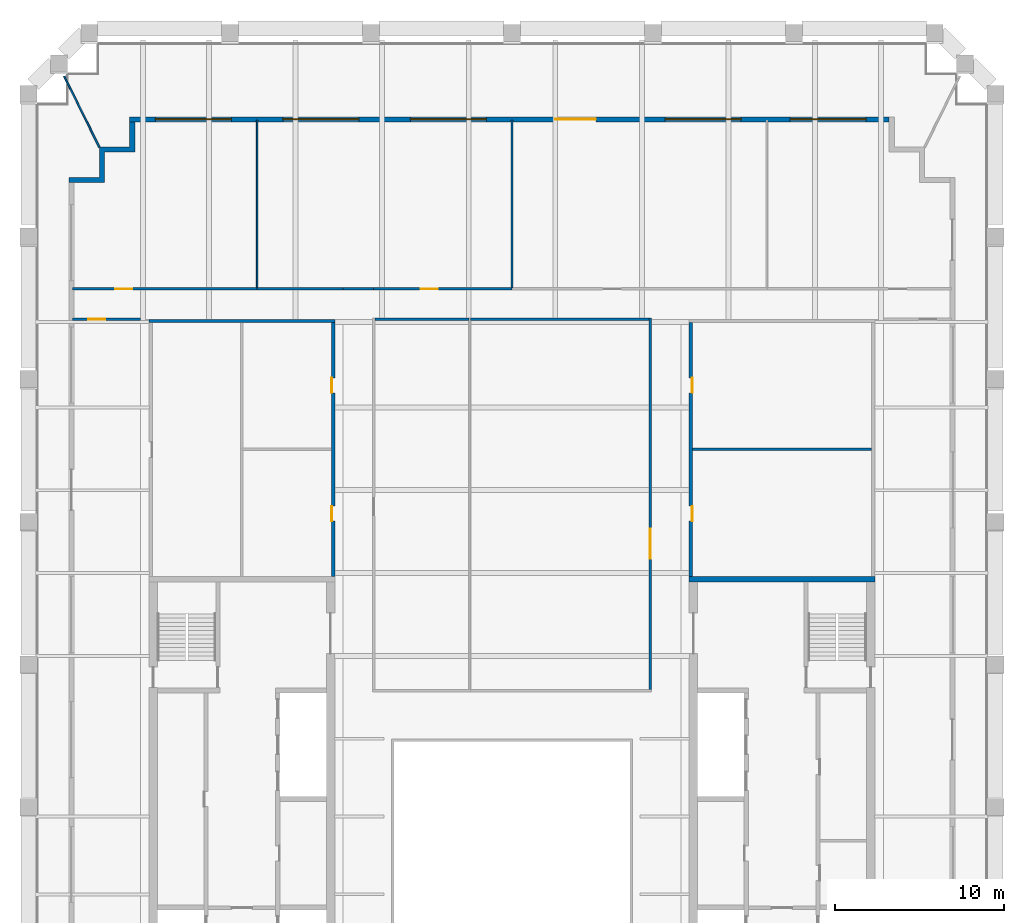
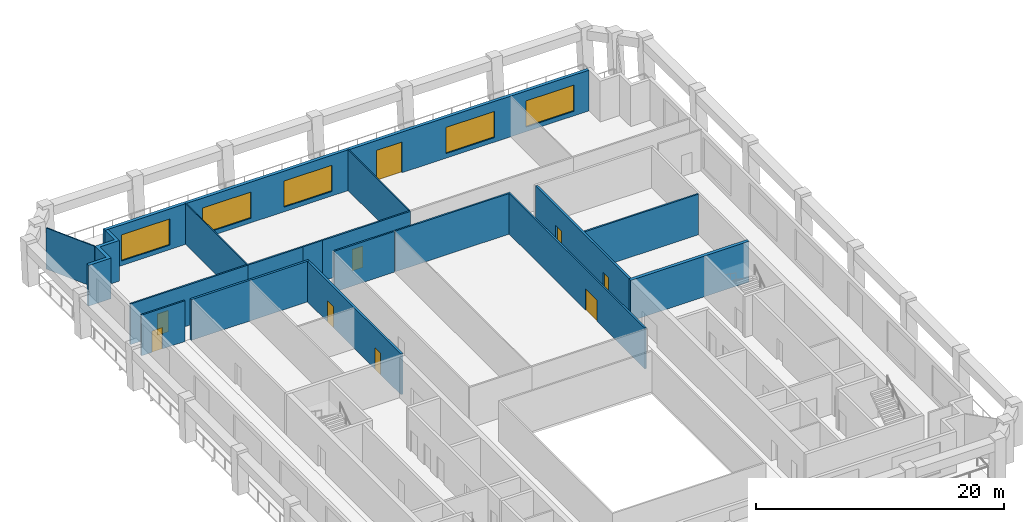
# One storey, part 5 of 7: 18 walls, 9 doors, 5 windows, 14 openings.
"""IFC4 building model written with IfcOpenShell, lengths in metres."""

from ifc_helpers import new_model, si_unit, direction, frame, frame_2d, origin, place, context, subcontext, project, spatial, polyline, rectangle, outline, extrude, material, layer, layer_set, type_object, element, fill, save


model = new_model("IFC4")

# Units and contexts
model_context = context("Model", 3, precision=1e-05, world=origin(), true_north=direction((0.0, 1.0)))
body_context = subcontext(model_context, "Body", "Model", "MODEL_VIEW")
ifc_project = project(units=[si_unit("LENGTHUNIT", "METRE"), si_unit("AREAUNIT", "SQUARE_METRE"), si_unit("VOLUMEUNIT", "CUBIC_METRE"), si_unit("PLANEANGLEUNIT", "RADIAN"), si_unit("MASSUNIT", "GRAM", prefix="KILO")], contexts=[model_context])

# Site, building, storey
site_placement = place(None, origin())
site = spatial("IfcSite", under=ifc_project, at=site_placement, CompositionType="ELEMENT")
building_placement = place(site_placement, origin())
building = spatial("IfcBuilding", under=site, at=building_placement, Name="Ogive Exchange Tower", CompositionType="ELEMENT")
storey_placement = place(building_placement, frame((0.0, 0.0, 330.0)))
storey = spatial("IfcBuildingStorey", under=building, at=storey_placement, Name="L72", CompositionType="ELEMENT", Elevation=330.0)

# Wall
ifc_material_1 = material(Name="Gypsum board partition")
ifc_layer_1 = layer(ifc_material_1, 0.14990234375)
ifc_layer_set_1 = layer_set([ifc_layer_1], Name="Core room partition 150 gypsum")
wall_type_1 = type_object("IfcWallType", Name="Core room partition 150 gypsum", PredefinedType="PARTITIONING", material=ifc_layer_set_1)
wall_1_placement = place(storey_placement, frame((10.699951171875, 33.300048828125, 0.0), z_axis=(0.0, 0.0, 1.0), x_axis=(1.0, 0.0, 0.0)))
element("IfcWall", 1, at=wall_1_placement, inside=storey, type_object=wall_type_1, Name="E annex N cross wall", PredefinedType="PARTITIONING", context=body_context, shape_type="SweptSolid", body=[
    extrude(rectangle(XDim=10.60009765625, YDim=0.14990234375, at=frame_2d((5.300048828125, 0.0))), origin(), (0.0, 0.0, 1.0), 4.0),
])

# Wall, opening, door
ifc_material_2 = material(Name="Fire partition EI 60 150")
ifc_layer_2 = layer(ifc_material_2, 0.14990234375)
ifc_layer_set_2 = layer_set([ifc_layer_2], Name="Fire partition EI 60 150")
wall_type_2 = type_object("IfcWallType", Name="Fire partition EI 60 150", PredefinedType="PARTITIONING", material=ifc_layer_set_2)
wall_2_placement = place(storey_placement, frame((-26.050048828125, 42.800048828125, 0.0), z_axis=(0.0, 0.0, 1.0), x_axis=(1.0, 0.0, 0.0)))
wall_2 = element("IfcWall", 2, at=wall_2_placement, inside=storey, type_object=wall_type_2, Name="L72-PWL-001", PredefinedType="PARTITIONING", context=body_context, shape_type="SweptSolid", body=[
    extrude(rectangle(XDim=11.0, YDim=0.14990234375, at=frame_2d((5.5, 0.0))), origin(), (0.0, 0.0, 1.0), 4.0),
])
opening_1_placement = place(wall_2_placement, frame((2.550048828125, 0.0, 0.0)))
opening_1 = element("IfcOpeningElement", 3, at=opening_1_placement, cuts=wall_2, Name="Opening L72-I04", PredefinedType="OPENING", context=body_context, shape_type="SweptSolid", body=[
    extrude(rectangle(XDim=1.0, YDim=2.10009765625, at=frame_2d((0.5, 1.050048828125))), frame((0.0, 0.0849609375, 0.0), z_axis=(0.0, -1.0, 0.0), x_axis=(1.0, 0.0, 0.0)), (0.0, 0.0, 1.0), 0.169921875),
])
ifc_material_3 = material(Name="Fire door FD 30S 1000 x 2100")
door_type_1 = type_object("IfcDoorType", Name="Fire door FD 30S 1000 x 2100", OperationType="NOTDEFINED", PredefinedType="DOOR", material=ifc_material_3)
door_1_placement = place(opening_1_placement, origin())
door_1 = element("IfcDoor", 4, at=door_1_placement, inside=storey, type_object=door_type_1, Name="L72-IDR-004", ObjectType="DT3", OperationType="SINGLE_SWING_RIGHT", OverallHeight=2.10009765625, OverallWidth=1.0, PredefinedType="DOOR", context=body_context, shape_type="SweptSolid", body=[
    extrude(rectangle(XDim=1.0, YDim=2.10009765625, at=frame_2d((0.5, 1.050048828125))), frame((0.0, 0.02490234375, 0.0), z_axis=(0.0, -1.0, 0.0), x_axis=(1.0, 0.0, 0.0)), (0.0, 0.0, 1.0), 0.050048828125),
])
fill(opening_1, door_1)

wall_3_placement = place(storey_placement, frame((-22.0, 41.0, 0.0), z_axis=(0.0, 0.0, 1.0), x_axis=(-1.0, 0.0, 0.0)))
wall_3 = element("IfcWall", 5, at=wall_3_placement, inside=storey, type_object=wall_type_2, Name="L72-PWL-003", PredefinedType="PARTITIONING", context=body_context, shape_type="SweptSolid", body=[
    extrude(rectangle(XDim=4.050048828125, YDim=0.14990234375, at=frame_2d((2.02490234375, 0.0))), origin(), (0.0, 0.0, 1.0), 4.0),
])
opening_2_placement = place(wall_3_placement, frame((2.10009765625, 0.0, 0.0)))
opening_2 = element("IfcOpeningElement", 6, at=opening_2_placement, cuts=wall_3, Name="Opening L72-I07", PredefinedType="OPENING", context=body_context, shape_type="SweptSolid", body=[
    extrude(rectangle(XDim=1.0, YDim=2.10009765625, at=frame_2d((0.5, 1.050048828125))), frame((0.0, 0.0849609375, 0.0), z_axis=(0.0, -1.0, 0.0), x_axis=(1.0, 0.0, 0.0)), (0.0, 0.0, 1.0), 0.169921875),
])
door_2_placement = place(opening_2_placement, origin())
door_2 = element("IfcDoor", 7, at=door_2_placement, inside=storey, type_object=door_type_1, Name="L72-IDR-007", ObjectType="DT3", OperationType="SINGLE_SWING_LEFT", OverallHeight=2.10009765625, OverallWidth=1.0, PredefinedType="DOOR", context=body_context, shape_type="SweptSolid", body=[
    extrude(rectangle(XDim=1.0, YDim=2.10009765625, at=frame_2d((0.5, 1.050048828125))), frame((0.0, 0.02490234375, 0.0), z_axis=(0.0, -1.0, 0.0), x_axis=(1.0, 0.0, 0.0)), (0.0, 0.0, 1.0), 0.050048828125),
])
fill(opening_2, door_2)

# Walls
wall_4_placement = place(storey_placement, frame((-15.10009765625, 42.800048828125, 0.0), z_axis=(0.0, 0.0, 1.0), x_axis=(1.0, 0.0, 0.0)))
element("IfcWall", 8, at=wall_4_placement, inside=storey, type_object=wall_type_2, Name="L72-PWL-005", PredefinedType="PARTITIONING", context=body_context, shape_type="SweptSolid", body=[
    extrude(rectangle(XDim=5.10009765625, YDim=0.14990234375, at=frame_2d((2.550048828125, 0.0))), origin(), (0.0, 0.0, 1.0), 4.0),
])
wall_5_placement = place(storey_placement, frame((-10.0, 42.800048828125, 0.0), z_axis=(0.0, 0.0, 1.0), x_axis=(1.0, 0.0, 0.0)))
element("IfcWall", 9, at=wall_5_placement, inside=storey, type_object=wall_type_2, Name="L72-PWL-006", PredefinedType="PARTITIONING", context=body_context, shape_type="SweptSolid", body=[
    extrude(rectangle(XDim=1.800048828125, YDim=0.14990234375, at=frame_2d((0.89990234375, 0.0))), origin(), (0.0, 0.0, 1.0), 4.0),
])

# Wall, opening, door
wall_6_placement = place(storey_placement, frame((-8.199951171875, 42.800048828125, 0.0), z_axis=(0.0, 0.0, 1.0), x_axis=(1.0, 0.0, 0.0)))
wall_6 = element("IfcWall", 10, at=wall_6_placement, inside=storey, type_object=wall_type_2, Name="L72-PWL-009", PredefinedType="PARTITIONING", context=body_context, shape_type="SweptSolid", body=[
    extrude(rectangle(XDim=8.199951171875, YDim=0.14990234375, at=frame_2d((4.10009765625, 0.0))), origin(), (0.0, 0.0, 1.0), 4.0),
])
opening_3_placement = place(wall_6_placement, frame((2.800048828125, 0.0, 0.0)))
opening_3 = element("IfcOpeningElement", 11, at=opening_3_placement, cuts=wall_6, Name="Opening L72-I03", PredefinedType="OPENING", context=body_context, shape_type="SweptSolid", body=[
    extrude(rectangle(XDim=1.0, YDim=2.10009765625, at=frame_2d((0.5, 1.050048828125))), frame((0.0, 0.0849609375, 0.0), z_axis=(0.0, -1.0, 0.0), x_axis=(1.0, 0.0, 0.0)), (0.0, 0.0, 1.0), 0.169921875),
])
door_3_placement = place(opening_3_placement, origin())
door_3 = element("IfcDoor", 12, at=door_3_placement, inside=storey, type_object=door_type_1, Name="L72-IDR-003", ObjectType="DT3", OperationType="SINGLE_SWING_LEFT", OverallHeight=2.10009765625, OverallWidth=1.0, PredefinedType="DOOR", context=body_context, shape_type="SweptSolid", body=[
    extrude(rectangle(XDim=1.0, YDim=2.10009765625, at=frame_2d((0.5, 1.050048828125))), frame((0.0, 0.02490234375, 0.0), z_axis=(0.0, -1.0, 0.0), x_axis=(1.0, 0.0, 0.0)), (0.0, 0.0, 1.0), 0.050048828125),
])
fill(opening_3, door_3)

# Wall
wall_7_placement = place(storey_placement, frame((-2.550048828125, 41.0, 0.0), z_axis=(0.0, 0.0, 1.0), x_axis=(-1.0, 0.0, 0.0)))
element("IfcWall", 13, at=wall_7_placement, inside=storey, type_object=wall_type_2, Name="L72-PWL-012", PredefinedType="PARTITIONING", context=body_context, shape_type="SweptSolid", body=[
    extrude(rectangle(XDim=5.574951171875, YDim=0.14990234375, at=frame_2d((2.78759765625, 0.0))), origin(), (0.0, 0.0, 1.0), 4.0),
])

# Wall, opening, door
wall_8_placement = place(storey_placement, frame((8.199951171875, 19.074951171875, 0.0), z_axis=(0.0, 0.0, 1.0), x_axis=(0.0, 1.0, 0.0)))
wall_8 = element("IfcWall", 14, at=wall_8_placement, inside=storey, type_object=wall_type_2, Name="L72-PWL-015", PredefinedType="PARTITIONING", context=body_context, shape_type="SweptSolid", body=[
    extrude(rectangle(XDim=22.0, YDim=0.14990234375, at=frame_2d((11.0, 0.0))), origin(), (0.0, 0.0, 1.0), 4.0),
])
opening_4_placement = place(wall_8_placement, frame((7.72509765625, 0.0, 0.0)))
opening_4 = element("IfcOpeningElement", 15, at=opening_4_placement, cuts=wall_8, Name="Opening L72-I05", PredefinedType="OPENING", context=body_context, shape_type="SweptSolid", body=[
    extrude(rectangle(XDim=1.800048828125, YDim=2.10009765625, at=frame_2d((0.89990234375, 1.050048828125))), frame((0.0, 0.0849609375, 0.0), z_axis=(0.0, -1.0, 0.0), x_axis=(1.0, 0.0, 0.0)), (0.0, 0.0, 1.0), 0.169921875),
])
ifc_material_4 = material(Name="Fire door FD 30S 1800 x 2100")
door_type_2 = type_object("IfcDoorType", Name="Fire door FD 30S 1800 x 2100", OperationType="DOUBLE_DOOR_SINGLE_SWING", PredefinedType="DOOR", material=ifc_material_4)
door_4_placement = place(opening_4_placement, origin())
door_4 = element("IfcDoor", 16, at=door_4_placement, inside=storey, type_object=door_type_2, Name="L72-IDR-005", ObjectType="DT4", OperationType="SINGLE_SWING_RIGHT", OverallHeight=2.10009765625, OverallWidth=1.800048828125, PredefinedType="DOOR", context=body_context, shape_type="SweptSolid", body=[
    extrude(rectangle(XDim=1.800048828125, YDim=2.10009765625, at=frame_2d((0.89990234375, 1.050048828125))), frame((0.0, 0.02490234375, 0.0), z_axis=(0.0, -1.0, 0.0), x_axis=(1.0, 0.0, 0.0)), (0.0, 0.0, 1.0), 0.050048828125),
])
fill(opening_4, door_4)

# Wall
wall_9_placement = place(storey_placement, frame((8.125, 41.0, 0.0), z_axis=(0.0, 0.0, 1.0), x_axis=(-1.0, 0.0, 0.0)))
element("IfcWall", 17, at=wall_9_placement, inside=storey, type_object=wall_type_2, Name="L72-PWL-016", PredefinedType="PARTITIONING", context=body_context, shape_type="SweptSolid", body=[
    extrude(rectangle(XDim=10.574951171875, YDim=0.14990234375, at=frame_2d((5.28759765625, 0.0))), origin(), (0.0, 0.0, 1.0), 4.0),
])

# Wall, openings, door, windows
ifc_material_5 = material(Name="Precast concrete C40/50", Category="concrete")
ifc_layer_3 = layer(ifc_material_5, 0.300048828125)
ifc_layer_set_3 = layer_set([ifc_layer_3], Name="Limestone-faced wall 300")
wall_type_3 = type_object("IfcWallType", Name="Limestone-faced wall 300", PredefinedType="STANDARD", material=ifc_layer_set_3)
wall_10_placement = place(storey_placement, frame((22.35009765625, 52.85009765625, 0.0), z_axis=(0.0, 0.0, 1.0), x_axis=(-1.0, 0.0, 0.0)))
wall_10 = element("IfcWall", 18, at=wall_10_placement, inside=storey, type_object=wall_type_3, Name="External wall N3", PredefinedType="STANDARD", context=body_context, shape_type="SweptSolid", body=[
    extrude(rectangle(XDim=45.0, YDim=0.300048828125, at=frame_2d((22.5, 0.0))), origin(), (0.0, 0.0, 1.0), 4.0),
])
opening_5_placement = place(wall_10_placement, frame((1.375, 0.0, 0.449951171875)))
opening_5 = element("IfcOpeningElement", 19, at=opening_5_placement, cuts=wall_10, Name="Opening W1M", PredefinedType="OPENING", context=body_context, shape_type="SweptSolid", body=[
    extrude(rectangle(XDim=4.5, YDim=2.574951171875, at=frame_2d((2.25, 1.28759765625))), frame((0.0, 0.159912109375, 0.0), z_axis=(0.0, -1.0, 0.0), x_axis=(1.0, 0.0, 0.0)), (0.0, 0.0, 1.0), 0.320068359375),
])
opening_6_placement = place(wall_10_placement, frame((8.77490234375, 0.0, 0.449951171875)))
opening_6 = element("IfcOpeningElement", 20, at=opening_6_placement, cuts=wall_10, Name="Opening W1M", PredefinedType="OPENING", context=body_context, shape_type="SweptSolid", body=[
    extrude(rectangle(XDim=4.5, YDim=2.574951171875, at=frame_2d((2.25, 1.28759765625))), frame((0.0, 0.159912109375, 0.0), z_axis=(0.0, -1.0, 0.0), x_axis=(1.0, 0.0, 0.0)), (0.0, 0.0, 1.0), 0.320068359375),
])
opening_7_placement = place(wall_10_placement, frame((17.375, 0.0, 0.0)))
opening_7 = element("IfcOpeningElement", 21, at=opening_7_placement, cuts=wall_10, Name="Opening D1M", PredefinedType="OPENING", context=body_context, shape_type="SweptSolid", body=[
    extrude(rectangle(XDim=2.39990234375, YDim=3.02490234375, at=frame_2d((1.199951171875, 1.512451171875))), frame((0.0, 0.159912109375, 0.0), z_axis=(0.0, -1.0, 0.0), x_axis=(1.0, 0.0, 0.0)), (0.0, 0.0, 1.0), 0.320068359375),
])
opening_8_placement = place(wall_10_placement, frame((23.875, 0.0, 0.449951171875)))
opening_8 = element("IfcOpeningElement", 22, at=opening_8_placement, cuts=wall_10, Name="Opening W1M", PredefinedType="OPENING", context=body_context, shape_type="SweptSolid", body=[
    extrude(rectangle(XDim=4.5, YDim=2.574951171875, at=frame_2d((2.25, 1.28759765625))), frame((0.0, 0.159912109375, 0.0), z_axis=(0.0, -1.0, 0.0), x_axis=(1.0, 0.0, 0.0)), (0.0, 0.0, 1.0), 0.320068359375),
])
opening_9_placement = place(wall_10_placement, frame((31.425048828125, 0.0, 0.449951171875)))
opening_9 = element("IfcOpeningElement", 23, at=opening_9_placement, cuts=wall_10, Name="Opening W1M", PredefinedType="OPENING", context=body_context, shape_type="SweptSolid", body=[
    extrude(rectangle(XDim=4.5, YDim=2.574951171875, at=frame_2d((2.25, 1.28759765625))), frame((0.0, 0.159912109375, 0.0), z_axis=(0.0, -1.0, 0.0), x_axis=(1.0, 0.0, 0.0)), (0.0, 0.0, 1.0), 0.320068359375),
])
opening_10_placement = place(wall_10_placement, frame((38.97509765625, 0.0, 0.449951171875)))
opening_10 = element("IfcOpeningElement", 24, at=opening_10_placement, cuts=wall_10, Name="Opening W1M", PredefinedType="OPENING", context=body_context, shape_type="SweptSolid", body=[
    extrude(rectangle(XDim=4.5, YDim=2.574951171875, at=frame_2d((2.25, 1.28759765625))), frame((0.0, 0.159912109375, 0.0), z_axis=(0.0, -1.0, 0.0), x_axis=(1.0, 0.0, 0.0)), (0.0, 0.0, 1.0), 0.320068359375),
])
ifc_material_6 = material(Name="Clear glass in bronze frame", Category="glass")
door_type_3 = type_object("IfcDoorType", Name="Sliding loggia door 2400 x 3025", OperationType="DOUBLE_DOOR_SLIDING", PredefinedType="DOOR", material=ifc_material_6)
door_5_placement = place(opening_7_placement, origin())
door_5 = element("IfcDoor", 25, at=door_5_placement, inside=storey, type_object=door_type_3, Name="Loggia door N02", OperationType="DOUBLE_DOOR_SLIDING", OverallHeight=3.02490234375, OverallWidth=2.39990234375, PredefinedType="DOOR", context=body_context, shape_type="SweptSolid", body=[
    extrude(rectangle(XDim=2.39990234375, YDim=3.02490234375, at=frame_2d((1.199951171875, 1.512451171875))), frame((0.0, 0.02490234375, 0.0), z_axis=(0.0, -1.0, 0.0), x_axis=(1.0, 0.0, 0.0)), (0.0, 0.0, 1.0), 0.050048828125),
])
fill(opening_7, door_5)
window_type = type_object("IfcWindowType", Name="Twin lancet window 4500 x 2575", PartitioningType="DOUBLE_PANEL_VERTICAL", PredefinedType="WINDOW", material=ifc_material_6)
window_1_placement = place(opening_5_placement, origin())
window_1 = element("IfcWindow", 26, at=window_1_placement, inside=storey, type_object=window_type, Name="Window N00", OverallHeight=2.574951171875, OverallWidth=4.5, PartitioningType="DOUBLE_PANEL_VERTICAL", PredefinedType="WINDOW", context=body_context, shape_type="SweptSolid", body=[
    extrude(rectangle(XDim=4.5, YDim=2.574951171875, at=frame_2d((2.25, 1.28759765625))), frame((0.0, 0.030029296875, 0.0), z_axis=(0.0, -1.0, 0.0), x_axis=(1.0, 0.0, 0.0)), (0.0, 0.0, 1.0), 0.06005859375),
])
fill(opening_5, window_1)
window_2_placement = place(opening_6_placement, origin())
window_2 = element("IfcWindow", 27, at=window_2_placement, inside=storey, type_object=window_type, Name="Window N01", OverallHeight=2.574951171875, OverallWidth=4.5, PartitioningType="DOUBLE_PANEL_VERTICAL", PredefinedType="WINDOW", context=body_context, shape_type="SweptSolid", body=[
    extrude(rectangle(XDim=4.5, YDim=2.574951171875, at=frame_2d((2.25, 1.28759765625))), frame((0.0, 0.030029296875, 0.0), z_axis=(0.0, -1.0, 0.0), x_axis=(1.0, 0.0, 0.0)), (0.0, 0.0, 1.0), 0.06005859375),
])
fill(opening_6, window_2)
window_3_placement = place(opening_8_placement, origin())
window_3 = element("IfcWindow", 28, at=window_3_placement, inside=storey, type_object=window_type, Name="Window N03", OverallHeight=2.574951171875, OverallWidth=4.5, PartitioningType="DOUBLE_PANEL_VERTICAL", PredefinedType="WINDOW", context=body_context, shape_type="SweptSolid", body=[
    extrude(rectangle(XDim=4.5, YDim=2.574951171875, at=frame_2d((2.25, 1.28759765625))), frame((0.0, 0.030029296875, 0.0), z_axis=(0.0, -1.0, 0.0), x_axis=(1.0, 0.0, 0.0)), (0.0, 0.0, 1.0), 0.06005859375),
])
fill(opening_8, window_3)
window_4_placement = place(opening_9_placement, origin())
window_4 = element("IfcWindow", 29, at=window_4_placement, inside=storey, type_object=window_type, Name="Window N04", OverallHeight=2.574951171875, OverallWidth=4.5, PartitioningType="DOUBLE_PANEL_VERTICAL", PredefinedType="WINDOW", context=body_context, shape_type="SweptSolid", body=[
    extrude(rectangle(XDim=4.5, YDim=2.574951171875, at=frame_2d((2.25, 1.28759765625))), frame((0.0, 0.030029296875, 0.0), z_axis=(0.0, -1.0, 0.0), x_axis=(1.0, 0.0, 0.0)), (0.0, 0.0, 1.0), 0.06005859375),
])
fill(opening_9, window_4)
window_5_placement = place(opening_10_placement, origin())
window_5 = element("IfcWindow", 30, at=window_5_placement, inside=storey, type_object=window_type, Name="Window N05", OverallHeight=2.574951171875, OverallWidth=4.5, PartitioningType="DOUBLE_PANEL_VERTICAL", PredefinedType="WINDOW", context=body_context, shape_type="SweptSolid", body=[
    extrude(rectangle(XDim=4.5, YDim=2.574951171875, at=frame_2d((2.25, 1.28759765625))), frame((0.0, 0.030029296875, 0.0), z_axis=(0.0, -1.0, 0.0), x_axis=(1.0, 0.0, 0.0)), (0.0, 0.0, 1.0), 0.06005859375),
])
fill(opening_10, window_5)

# Walls
wall_11_placement = place(storey_placement, origin())
element("IfcWall", 31, at=wall_11_placement, inside=storey, type_object=wall_type_3, Name="External corner wall C3", PredefinedType="STANDARD", context=body_context, shape_type="SweptSolid", body=[
    extrude(outline(polyline([(-24.449951171875, 49.39990234375), (-24.449951171875, 51.199951171875), (-22.64990234375, 51.199951171875), (-22.64990234375, 52.699951171875), (-22.35009765625, 52.699951171875), (-22.35009765625, 50.89990234375), (-24.14990234375, 50.89990234375), (-24.14990234375, 49.10009765625), (-26.25, 49.10009765625), (-26.25, 49.39990234375), (-24.449951171875, 49.39990234375)])), origin(), (0.0, 0.0, 1.0), 4.0),
])
ifc_material_7 = material(Name="Laminated safety glass in steel frame", Category="steel")
ifc_layer_4 = layer(ifc_material_7, 0.10009765625)
ifc_layer_set_4 = layer_set([ifc_layer_4], Name="Loggia end screen 100")
wall_type_4 = type_object("IfcWallType", Name="Loggia end screen 100", PredefinedType="STANDARD", material=ifc_layer_set_4)
wall_12_placement = place(storey_placement, frame((-24.449951171875, 51.199951171875, -0.050048828125), z_axis=(0.0, 0.0, 1.0), x_axis=(-0.443209769794, 0.896417927063, 0.0)))
element("IfcWall", 32, at=wall_12_placement, inside=storey, type_object=wall_type_4, Name="Loggia end screen C3", PredefinedType="STANDARD", context=body_context, shape_type="SweptSolid", body=[
    extrude(rectangle(XDim=4.688232421875, YDim=0.10009765625, at=frame_2d((2.34423828125, 0.0))), origin(), (0.0, 0.0, 1.0), 4.050048828125),
])
ifc_material_8 = material(Name="Partition 100 gypsum")
ifc_layer_5 = layer(ifc_material_8, 0.10009765625)
ifc_layer_set_5 = layer_set([ifc_layer_5], Name="Partition 100 gypsum")
wall_type_5 = type_object("IfcWallType", Name="Partition 100 gypsum", PredefinedType="PARTITIONING", material=ifc_layer_set_5)
for number, where, z_axis, x_axis, name in (
    (33, (-15.10009765625, 42.875, 0.0), (0.0, 0.0, 1.0), (0.0, 1.0, 0.0), "L72-PWL-004"),
    (34, (0.0, 42.875, 0.0), (0.0, 0.0, 1.0), (0.0, 1.0, 0.0), "L72-PWL-013"),
):
    element("IfcWall", number, at=place(storey_placement, frame(where, z_axis=z_axis, x_axis=x_axis)), inside=storey, type_object=wall_type_5, Name=name, PredefinedType="PARTITIONING", context=body_context, shape_type="SweptSolid", body=[
        extrude(rectangle(XDim=9.925048828125, YDim=0.10009765625, at=frame_2d((4.96240234375, 0.0))), origin(), (0.0, 0.0, 1.0), 4.0),
    ])

# Wall, openings, doors
ifc_material_9 = material(Name="Concrete C70/85", Category="concrete")
ifc_layer_6 = layer(ifc_material_9, 0.199951171875)
ifc_layer_set_6 = layer_set([ifc_layer_6], Name="RC core wall 200 C70/85")
wall_type_6 = type_object("IfcWallType", Name="RC core wall 200 C70/85", PredefinedType="SHEAR", material=ifc_layer_set_6)
wall_13_placement = place(storey_placement, frame((-10.60009765625, 25.75, 0.0), z_axis=(0.0, 0.0, 1.0), x_axis=(0.0, 1.0, 0.0)))
wall_13 = element("IfcWall", 35, at=wall_13_placement, inside=storey, type_object=wall_type_6, Name="W annex N inner wall", PredefinedType="SHEAR", context=body_context, shape_type="SweptSolid", body=[
    extrude(rectangle(XDim=15.050048828125, YDim=0.199951171875, at=frame_2d((7.52490234375, 0.0))), origin(), (0.0, 0.0, 1.0), 4.0),
])
opening_11_placement = place(wall_13_placement, frame((3.28759765625, 0.0, 0.0)))
opening_11 = element("IfcOpeningElement", 36, at=opening_11_placement, cuts=wall_13, Name="Opening L72-C17", PredefinedType="OPENING", context=body_context, shape_type="SweptSolid", body=[
    extrude(rectangle(XDim=0.89990234375, YDim=2.10009765625, at=frame_2d((0.449951171875, 1.050048828125))), frame((0.0, 0.10986328125, 0.0), z_axis=(0.0, -1.0, 0.0), x_axis=(1.0, 0.0, 0.0)), (0.0, 0.0, 1.0), 0.219970703125),
])
opening_12_placement = place(wall_13_placement, frame((10.887451171875, 0.0, 0.0)))
opening_12 = element("IfcOpeningElement", 37, at=opening_12_placement, cuts=wall_13, Name="Opening L72-C18", PredefinedType="OPENING", context=body_context, shape_type="SweptSolid", body=[
    extrude(rectangle(XDim=0.89990234375, YDim=2.10009765625, at=frame_2d((0.449951171875, 1.050048828125))), frame((0.0, 0.10986328125, 0.0), z_axis=(0.0, -1.0, 0.0), x_axis=(1.0, 0.0, 0.0)), (0.0, 0.0, 1.0), 0.219970703125),
])
ifc_material_10 = material(Name="Timber fire door", Category="wood")
door_type_4 = type_object("IfcDoorType", Name="Core room door FD30S 900 x 2100", OperationType="NOTDEFINED", PredefinedType="DOOR", material=ifc_material_10)
door_6_placement = place(opening_11_placement, frame((0.89990234375, 0.14990234375, 0.0), z_axis=(0.0, 0.0, 1.0), x_axis=(-1.0, 0.0, 0.0)))
door_6 = element("IfcDoor", 38, at=door_6_placement, inside=storey, type_object=door_type_4, Name="Core room door", ObjectType="CD6", OperationType="SINGLE_SWING_RIGHT", OverallHeight=2.10009765625, OverallWidth=0.89990234375, PredefinedType="DOOR", context=body_context, shape_type="SweptSolid", body=[
    extrude(rectangle(XDim=0.89990234375, YDim=2.10009765625, at=frame_2d((0.449951171875, 1.050048828125))), frame((0.0, 0.10009765625, 0.0), z_axis=(0.0, -1.0, 0.0), x_axis=(1.0, 0.0, 0.0)), (0.0, 0.0, 1.0), 0.050048828125),
])
fill(opening_11, door_6)
door_7_placement = place(opening_12_placement, frame((0.89990234375, 0.14990234375, 0.0), z_axis=(0.0, 0.0, 1.0), x_axis=(-1.0, 0.0, 0.0)))
door_7 = element("IfcDoor", 39, at=door_7_placement, inside=storey, type_object=door_type_4, Name="Core room door", ObjectType="CD6", OperationType="SINGLE_SWING_LEFT", OverallHeight=2.10009765625, OverallWidth=0.89990234375, PredefinedType="DOOR", context=body_context, shape_type="SweptSolid", body=[
    extrude(rectangle(XDim=0.89990234375, YDim=2.10009765625, at=frame_2d((0.449951171875, 1.050048828125))), frame((0.0, 0.10009765625, 0.0), z_axis=(0.0, -1.0, 0.0), x_axis=(1.0, 0.0, 0.0)), (0.0, 0.0, 1.0), 0.050048828125),
])
fill(opening_12, door_7)

# Wall
wall_14_placement = place(storey_placement, frame((-21.5, 40.89990234375, 0.0), z_axis=(0.0, 0.0, 1.0), x_axis=(1.0, 0.0, 0.0)))
element("IfcWall", 40, at=wall_14_placement, inside=storey, type_object=wall_type_6, Name="W annex N end wall", PredefinedType="SHEAR", context=body_context, shape_type="SweptSolid", body=[
    extrude(rectangle(XDim=11.0, YDim=0.199951171875, at=frame_2d((5.5, 0.0))), origin(), (0.0, 0.0, 1.0), 4.0),
])

# Wall, openings, doors
wall_15_placement = place(storey_placement, frame((10.60009765625, 25.75, 0.0), z_axis=(0.0, 0.0, 1.0), x_axis=(0.0, 1.0, 0.0)))
wall_15 = element("IfcWall", 41, at=wall_15_placement, inside=storey, type_object=wall_type_6, Name="E annex N inner wall", PredefinedType="SHEAR", context=body_context, shape_type="SweptSolid", body=[
    extrude(rectangle(XDim=15.050048828125, YDim=0.199951171875, at=frame_2d((7.52490234375, 0.0))), origin(), (0.0, 0.0, 1.0), 4.0),
])
opening_13_placement = place(wall_15_placement, frame((3.28759765625, 0.0, 0.0)))
opening_13 = element("IfcOpeningElement", 42, at=opening_13_placement, cuts=wall_15, Name="Opening L72-C35", PredefinedType="OPENING", context=body_context, shape_type="SweptSolid", body=[
    extrude(rectangle(XDim=0.89990234375, YDim=2.10009765625, at=frame_2d((0.449951171875, 1.050048828125))), frame((0.0, 0.10986328125, 0.0), z_axis=(0.0, -1.0, 0.0), x_axis=(1.0, 0.0, 0.0)), (0.0, 0.0, 1.0), 0.219970703125),
])
opening_14_placement = place(wall_15_placement, frame((10.887451171875, 0.0, 0.0)))
opening_14 = element("IfcOpeningElement", 43, at=opening_14_placement, cuts=wall_15, Name="Opening L72-C36", PredefinedType="OPENING", context=body_context, shape_type="SweptSolid", body=[
    extrude(rectangle(XDim=0.89990234375, YDim=2.10009765625, at=frame_2d((0.449951171875, 1.050048828125))), frame((0.0, 0.10986328125, 0.0), z_axis=(0.0, -1.0, 0.0), x_axis=(1.0, 0.0, 0.0)), (0.0, 0.0, 1.0), 0.219970703125),
])
ifc_material_11 = material(Name="Steel fire door", Category="steel")
door_type_5 = type_object("IfcDoorType", Name="Riser door FD60 900 x 2100", OperationType="NOTDEFINED", PredefinedType="DOOR", material=ifc_material_11)
door_8_placement = place(opening_13_placement, origin())
door_8 = element("IfcDoor", 44, at=door_8_placement, inside=storey, type_object=door_type_5, Name="Riser door", ObjectType="CD2", OperationType="SINGLE_SWING_LEFT", OverallHeight=2.10009765625, OverallWidth=0.89990234375, PredefinedType="DOOR", context=body_context, shape_type="SweptSolid", body=[
    extrude(rectangle(XDim=0.89990234375, YDim=2.10009765625, at=frame_2d((0.449951171875, 1.050048828125))), frame((0.0, -0.0498046875, 0.0), z_axis=(0.0, -1.0, 0.0), x_axis=(1.0, 0.0, 0.0)), (0.0, 0.0, 1.0), 0.050048828125),
])
fill(opening_13, door_8)
door_9_placement = place(opening_14_placement, origin())
door_9 = element("IfcDoor", 45, at=door_9_placement, inside=storey, type_object=door_type_5, Name="Riser door", ObjectType="CD2", OperationType="SINGLE_SWING_LEFT", OverallHeight=2.10009765625, OverallWidth=0.89990234375, PredefinedType="DOOR", context=body_context, shape_type="SweptSolid", body=[
    extrude(rectangle(XDim=0.89990234375, YDim=2.10009765625, at=frame_2d((0.449951171875, 1.050048828125))), frame((0.0, -0.0498046875, 0.0), z_axis=(0.0, -1.0, 0.0), x_axis=(1.0, 0.0, 0.0)), (0.0, 0.0, 1.0), 0.050048828125),
])
fill(opening_14, door_9)

# Wall
ifc_layer_7 = layer(ifc_material_9, 0.300048828125)
ifc_layer_set_7 = layer_set([ifc_layer_7], Name="RC core wall 300 C70/85")
wall_type_7 = type_object("IfcWallType", Name="RC core wall 300 C70/85", PredefinedType="SHEAR", material=ifc_layer_set_7)
wall_16_placement = place(storey_placement, frame((10.5, 25.60009765625, 0.0), z_axis=(0.0, 0.0, 1.0), x_axis=(1.0, 0.0, 0.0)))
element("IfcWall", 46, at=wall_16_placement, inside=storey, type_object=wall_type_7, Name="E north end wall", PredefinedType="SHEAR", context=body_context, shape_type="SweptSolid", body=[
    extrude(rectangle(XDim=11.0, YDim=0.300048828125, at=frame_2d((5.5, 0.0))), origin(), (0.0, 0.0, 1.0), 4.0),
])

save(model, "model.ifc")
